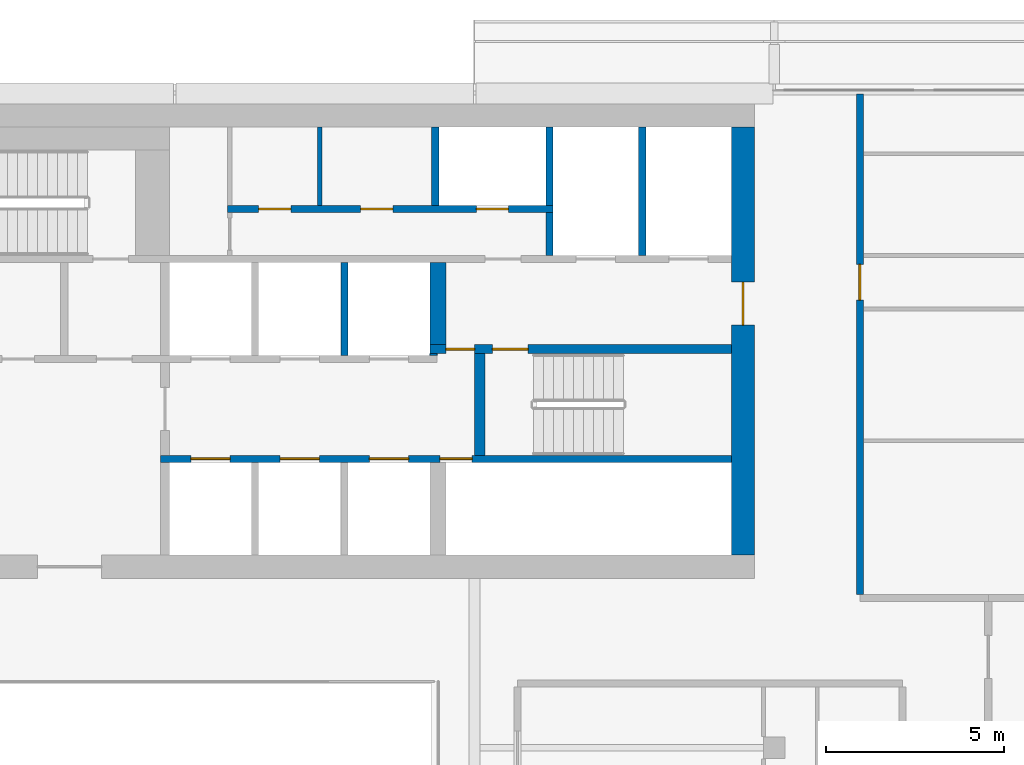
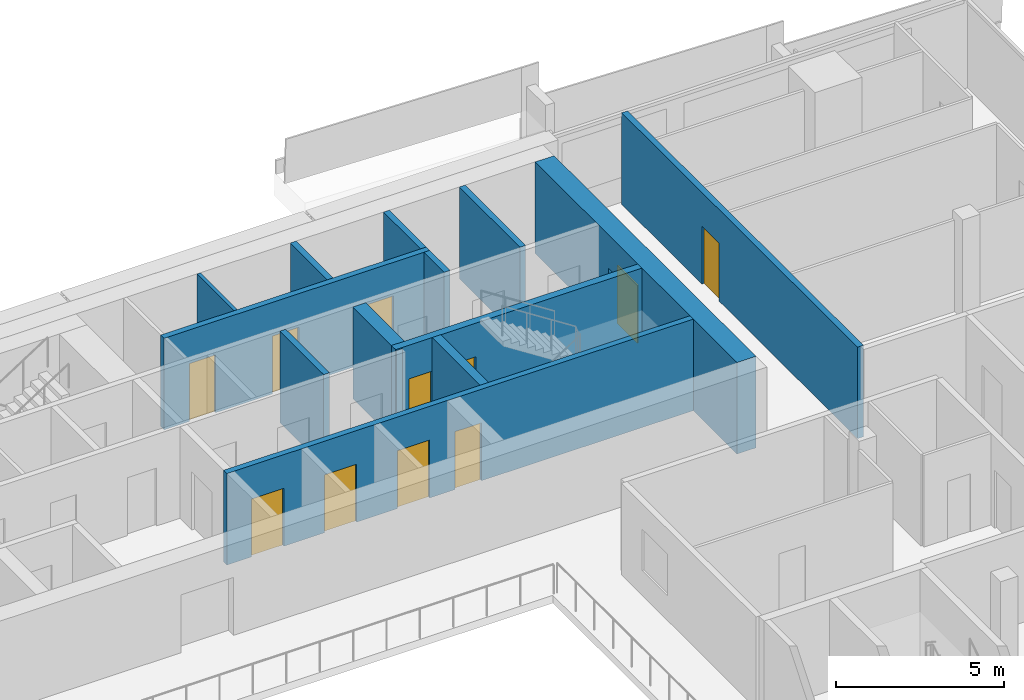
# One storey, part 24 of 31: 14 walls, 11 doors, 11 openings.
"""IFC4 building model written with IfcOpenShell, lengths in metres."""

from ifc_helpers import new_model, si_unit, direction, frame, frame_2d, origin, place, context, subcontext, project, spatial, rectangle, extrude, material, layer, layer_set, type_object, element, fill, save


model = new_model("IFC4")

# Units and contexts
model_context = context("Model", 3, precision=1e-05, world=origin(), true_north=direction((0.0, 1.0)))
body_context = subcontext(model_context, "Body", "Model", "MODEL_VIEW")
ifc_project = project(units=[si_unit("LENGTHUNIT", "METRE"), si_unit("AREAUNIT", "SQUARE_METRE"), si_unit("VOLUMEUNIT", "CUBIC_METRE"), si_unit("PLANEANGLEUNIT", "RADIAN"), si_unit("MASSUNIT", "GRAM", prefix="KILO")], contexts=[model_context])

# Site, building, storey
site_placement = place(None, origin())
site = spatial("IfcSite", under=ifc_project, at=site_placement, CompositionType="ELEMENT")
building_placement = place(site_placement, origin())
building = spatial("IfcBuilding", under=site, at=building_placement, Name="Saffron Gate Tower", CompositionType="ELEMENT")
storey_placement = place(building_placement, frame((0.0, 0.0, 205.5)))
storey = spatial("IfcBuildingStorey", under=building, at=storey_placement, Name="L49", CompositionType="ELEMENT", Elevation=205.5)

# Wall, openings, doors
ifc_material_1 = material(Name="Concrete C60", Category="concrete")
ifc_layer_1 = layer(ifc_material_1, 0.25)
ifc_layer_set_1 = layer_set([ifc_layer_1], Name="CW14 RC core wall 250 C60")
wall_type_1 = type_object("IfcWallType", Name="CW14 RC core wall 250 C60", PredefinedType="SOLIDWALL", material=ifc_layer_set_1)
wall_1_placement = place(storey_placement, frame((98.949951171875, 68.175048828125, 0.0), z_axis=(0.0, 0.0, 1.0), x_axis=(1.0, 0.0, 0.0)))
wall_1 = element("IfcWall", 1, at=wall_1_placement, inside=storey, type_object=wall_type_1, Name="Wall CW14-L49-28", PredefinedType="SOLIDWALL", context=body_context, shape_type="SweptSolid", body=[
    extrude(rectangle(XDim=8.449951171875, YDim=0.25, at=frame_2d((4.22509765625, 0.0))), origin(), (0.0, 0.0, 1.0), 3.320068359375),
])
opening_1_placement = place(wall_1_placement, frame((0.449951171875, 0.0, 0.0)))
opening_1 = element("IfcOpeningElement", 2, at=opening_1_placement, cuts=wall_1, Name="Opening CR-05", PredefinedType="OPENING", context=body_context, shape_type="SweptSolid", body=[
    extrude(rectangle(XDim=0.800048828125, YDim=2.10009765625, at=frame_2d((0.39990234375, 1.050048828125))), frame((0.0, 0.135009765625, 0.0), z_axis=(0.0, -1.0, 0.0), x_axis=(1.0, 0.0, 0.0)), (0.0, 0.0, 1.0), 0.27001953125),
])
opening_2_placement = place(wall_1_placement, frame((1.75, 0.0, 0.0)))
opening_2 = element("IfcOpeningElement", 3, at=opening_2_placement, cuts=wall_1, Name="Opening CR-16", PredefinedType="OPENING", context=body_context, shape_type="SweptSolid", body=[
    extrude(rectangle(XDim=1.0, YDim=2.10009765625, at=frame_2d((0.5, 1.050048828125))), frame((0.0, 0.135009765625, 0.0), z_axis=(0.0, -1.0, 0.0), x_axis=(1.0, 0.0, 0.0)), (0.0, 0.0, 1.0), 0.27001953125),
])
ifc_material_2 = material(Name="Steel fire door set", Category="steel")
door_type_1 = type_object("IfcDoorType", Name="CD5 Stair door 1000x2100 EI 120", OperationType="NOTDEFINED", PredefinedType="DOOR", material=ifc_material_2)
door_1_placement = place(opening_2_placement, origin())
door_1 = element("IfcDoor", 4, at=door_1_placement, inside=storey, type_object=door_type_1, Name="DOOR CR-16", OperationType="SINGLE_SWING_RIGHT", OverallHeight=2.10009765625, OverallWidth=1.0, PredefinedType="DOOR", context=body_context, shape_type="SweptSolid", body=[
    extrude(rectangle(XDim=1.0, YDim=2.10009765625, at=frame_2d((0.5, 1.050048828125))), frame((0.0, 0.02490234375, 0.0), z_axis=(0.0, -1.0, 0.0), x_axis=(1.0, 0.0, 0.0)), (0.0, 0.0, 1.0), 0.050048828125),
])
fill(opening_2, door_1)
door_type_2 = type_object("IfcDoorType", Name="CD6 Lobby door 800x2100 EI 120", OperationType="NOTDEFINED", PredefinedType="DOOR", material=ifc_material_2)
door_2_placement = place(opening_1_placement, origin())
door_2 = element("IfcDoor", 5, at=door_2_placement, inside=storey, type_object=door_type_2, Name="DOOR CR-05", OperationType="SINGLE_SWING_LEFT", OverallHeight=2.10009765625, OverallWidth=0.800048828125, PredefinedType="DOOR", context=body_context, shape_type="SweptSolid", body=[
    extrude(rectangle(XDim=0.800048828125, YDim=2.10009765625, at=frame_2d((0.39990234375, 1.050048828125))), frame((0.0, 0.02490234375, 0.0), z_axis=(0.0, -1.0, 0.0), x_axis=(1.0, 0.0, 0.0)), (0.0, 0.0, 1.0), 0.050048828125),
])
fill(opening_1, door_2)

ifc_layer_2 = layer(ifc_material_1, 0.199951171875)
ifc_layer_set_2 = layer_set([ifc_layer_2], Name="CW15 RC core wall 200 C60")
wall_type_2 = type_object("IfcWallType", Name="CW15 RC core wall 200 C60", PredefinedType="SOLIDWALL", material=ifc_layer_set_2)
wall_2_placement = place(storey_placement, frame((91.39990234375, 65.10009765625, 0.0), z_axis=(0.0, 0.0, 1.0), x_axis=(1.0, 0.0, 0.0)))
wall_2 = element("IfcWall", 6, at=wall_2_placement, inside=storey, type_object=wall_type_2, Name="Wall CW15-L49-13", PredefinedType="SOLIDWALL", context=body_context, shape_type="SweptSolid", body=[
    extrude(rectangle(XDim=16.0, YDim=0.199951171875, at=frame_2d((8.0, 0.0))), origin(), (0.0, 0.0, 1.0), 3.320068359375),
])
opening_3_placement = place(wall_2_placement, frame((0.85009765625, 0.0, 0.0)))
opening_3 = element("IfcOpeningElement", 7, at=opening_3_placement, cuts=wall_2, Name="Opening LD-HR1", PredefinedType="OPENING", context=body_context, shape_type="SweptSolid", body=[
    extrude(rectangle(XDim=1.10009765625, YDim=2.10009765625, at=frame_2d((0.550048828125, 1.050048828125))), frame((0.0, 0.10986328125, 0.0), z_axis=(0.0, -1.0, 0.0), x_axis=(1.0, 0.0, 0.0)), (0.0, 0.0, 1.0), 0.219970703125),
])
opening_4_placement = place(wall_2_placement, frame((3.35009765625, 0.0, 0.0)))
opening_4 = element("IfcOpeningElement", 8, at=opening_4_placement, cuts=wall_2, Name="Opening LD-HR2", PredefinedType="OPENING", context=body_context, shape_type="SweptSolid", body=[
    extrude(rectangle(XDim=1.10009765625, YDim=2.10009765625, at=frame_2d((0.550048828125, 1.050048828125))), frame((0.0, 0.10986328125, 0.0), z_axis=(0.0, -1.0, 0.0), x_axis=(1.0, 0.0, 0.0)), (0.0, 0.0, 1.0), 0.219970703125),
])
opening_5_placement = place(wall_2_placement, frame((5.85009765625, 0.0, 0.0)))
opening_5 = element("IfcOpeningElement", 9, at=opening_5_placement, cuts=wall_2, Name="Opening LD-HR3", PredefinedType="OPENING", context=body_context, shape_type="SweptSolid", body=[
    extrude(rectangle(XDim=1.10009765625, YDim=2.10009765625, at=frame_2d((0.550048828125, 1.050048828125))), frame((0.0, 0.10986328125, 0.0), z_axis=(0.0, -1.0, 0.0), x_axis=(1.0, 0.0, 0.0)), (0.0, 0.0, 1.0), 0.219970703125),
])
opening_6_placement = place(wall_2_placement, frame((7.830078125, 0.0, 0.0)))
opening_6 = element("IfcOpeningElement", 10, at=opening_6_placement, cuts=wall_2, Name="Opening CR-48", PredefinedType="OPENING", context=body_context, shape_type="SweptSolid", body=[
    extrude(rectangle(XDim=0.89990234375, YDim=2.10009765625, at=frame_2d((0.449951171875, 1.050048828125))), frame((0.0, 0.10986328125, 0.0), z_axis=(0.0, -1.0, 0.0), x_axis=(1.0, 0.0, 0.0)), (0.0, 0.0, 1.0), 0.219970703125),
])
door_type_3 = type_object("IfcDoorType", Name="CD2 Riser door 900x2100 EI 60", OperationType="NOTDEFINED", PredefinedType="DOOR", material=ifc_material_2)
door_3_placement = place(opening_6_placement, origin())
door_3 = element("IfcDoor", 11, at=door_3_placement, inside=storey, type_object=door_type_3, Name="DOOR CR-48", OperationType="SINGLE_SWING_RIGHT", OverallHeight=2.10009765625, OverallWidth=0.89990234375, PredefinedType="DOOR", context=body_context, shape_type="SweptSolid", body=[
    extrude(rectangle(XDim=0.89990234375, YDim=2.10009765625, at=frame_2d((0.449951171875, 1.050048828125))), frame((0.0, 0.02490234375, 0.0), z_axis=(0.0, -1.0, 0.0), x_axis=(1.0, 0.0, 0.0)), (0.0, 0.0, 1.0), 0.050048828125),
])
fill(opening_6, door_3)
ifc_material_3 = material(Name="Stainless steel landing door", Category="steel")
door_type_4 = type_object("IfcDoorType", Name="LD Lift landing door 1100x2100 EI 120", OperationType="SLIDING_TO_LEFT", PredefinedType="DOOR", material=ifc_material_3)
door_4_placement = place(opening_3_placement, origin())
door_4 = element("IfcDoor", 12, at=door_4_placement, inside=storey, type_object=door_type_4, Name="LANDING DOOR LD-HR1", OperationType="SLIDING_TO_LEFT", OverallHeight=2.10009765625, OverallWidth=1.10009765625, PredefinedType="DOOR", context=body_context, shape_type="SweptSolid", body=[
    extrude(rectangle(XDim=1.10009765625, YDim=2.10009765625, at=frame_2d((0.550048828125, 1.050048828125))), frame((0.0, 0.02490234375, 0.0), z_axis=(0.0, -1.0, 0.0), x_axis=(1.0, 0.0, 0.0)), (0.0, 0.0, 1.0), 0.050048828125),
])
fill(opening_3, door_4)
door_5_placement = place(opening_4_placement, origin())
door_5 = element("IfcDoor", 13, at=door_5_placement, inside=storey, type_object=door_type_4, Name="LANDING DOOR LD-HR2", OperationType="SLIDING_TO_LEFT", OverallHeight=2.10009765625, OverallWidth=1.10009765625, PredefinedType="DOOR", context=body_context, shape_type="SweptSolid", body=[
    extrude(rectangle(XDim=1.10009765625, YDim=2.10009765625, at=frame_2d((0.550048828125, 1.050048828125))), frame((0.0, 0.02490234375, 0.0), z_axis=(0.0, -1.0, 0.0), x_axis=(1.0, 0.0, 0.0)), (0.0, 0.0, 1.0), 0.050048828125),
])
fill(opening_4, door_5)
door_6_placement = place(opening_5_placement, origin())
door_6 = element("IfcDoor", 14, at=door_6_placement, inside=storey, type_object=door_type_4, Name="LANDING DOOR LD-HR3", OperationType="SLIDING_TO_LEFT", OverallHeight=2.10009765625, OverallWidth=1.10009765625, PredefinedType="DOOR", context=body_context, shape_type="SweptSolid", body=[
    extrude(rectangle(XDim=1.10009765625, YDim=2.10009765625, at=frame_2d((0.550048828125, 1.050048828125))), frame((0.0, 0.02490234375, 0.0), z_axis=(0.0, -1.0, 0.0), x_axis=(1.0, 0.0, 0.0)), (0.0, 0.0, 1.0), 0.050048828125),
])
fill(opening_5, door_6)

# Walls
wall_3_placement = place(storey_placement, frame((96.550048828125, 68.0, 0.0), z_axis=(0.0, 0.0, 1.0), x_axis=(0.0, 1.0, 0.0)))
element("IfcWall", 15, at=wall_3_placement, inside=storey, type_object=wall_type_2, Name="Wall CW15-L49-25", PredefinedType="SOLIDWALL", context=body_context, shape_type="SweptSolid", body=[
    extrude(rectangle(XDim=2.60009765625, YDim=0.199951171875, at=frame_2d((1.300048828125, 0.0))), origin(), (0.0, 0.0, 1.0), 3.320068359375),
])
wall_4_placement = place(storey_placement, frame((102.300048828125, 70.800048828125, 0.0), z_axis=(0.0, 0.0, 1.0), x_axis=(0.0, 1.0, 0.0)))
element("IfcWall", 16, at=wall_4_placement, inside=storey, type_object=wall_type_2, Name="Wall CW15-L49-38", PredefinedType="SOLIDWALL", context=body_context, shape_type="SweptSolid", body=[
    extrude(rectangle(XDim=1.199951171875, YDim=0.199951171875, at=frame_2d((0.60009765625, 0.0))), origin(), (0.0, 0.0, 1.0), 3.320068359375),
])
wall_5_placement = place(storey_placement, frame((104.89990234375, 70.800048828125, 0.0), z_axis=(0.0, 0.0, 1.0), x_axis=(0.0, 1.0, 0.0)))
element("IfcWall", 17, at=wall_5_placement, inside=storey, type_object=wall_type_2, Name="Wall CW15-L49-39", PredefinedType="SOLIDWALL", context=body_context, shape_type="SweptSolid", body=[
    extrude(rectangle(XDim=3.599853515625, YDim=0.199951171875, at=frame_2d((1.7998046875, 0.0))), origin(), (0.0, 0.0, 1.0), 3.320068359375),
])

# Wall, openings, doors
wall_6_placement = place(storey_placement, frame((93.280029296875, 72.10009765625, 0.0), z_axis=(0.0, 0.0, 1.0), x_axis=(1.0, 0.0, 0.0)))
wall_6 = element("IfcWall", 18, at=wall_6_placement, inside=storey, type_object=wall_type_2, Name="Wall CW15-L49-41", PredefinedType="SOLIDWALL", context=body_context, shape_type="SweptSolid", body=[
    extrude(rectangle(XDim=9.119873046875, YDim=0.199951171875, at=frame_2d((4.56005859375, 0.0))), origin(), (0.0, 0.0, 1.0), 3.320068359375),
])
opening_7_placement = place(wall_6_placement, frame((0.8701171875, 0.0, 0.0)))
opening_7 = element("IfcOpeningElement", 19, at=opening_7_placement, cuts=wall_6, Name="Opening CR-50", PredefinedType="OPENING", context=body_context, shape_type="SweptSolid", body=[
    extrude(rectangle(XDim=0.89990234375, YDim=2.10009765625, at=frame_2d((0.449951171875, 1.050048828125))), frame((0.0, 0.10986328125, 0.0), z_axis=(0.0, -1.0, 0.0), x_axis=(1.0, 0.0, 0.0)), (0.0, 0.0, 1.0), 0.219970703125),
])
opening_8_placement = place(wall_6_placement, frame((3.72998046875, 0.0, 0.0)))
opening_8 = element("IfcOpeningElement", 20, at=opening_8_placement, cuts=wall_6, Name="Opening CR-53", PredefinedType="OPENING", context=body_context, shape_type="SweptSolid", body=[
    extrude(rectangle(XDim=0.89990234375, YDim=2.10009765625, at=frame_2d((0.449951171875, 1.050048828125))), frame((0.0, 0.10986328125, 0.0), z_axis=(0.0, -1.0, 0.0), x_axis=(1.0, 0.0, 0.0)), (0.0, 0.0, 1.0), 0.219970703125),
])
opening_9_placement = place(wall_6_placement, frame((6.969970703125, 0.0, 0.0)))
opening_9 = element("IfcOpeningElement", 21, at=opening_9_placement, cuts=wall_6, Name="Opening CR-70", PredefinedType="OPENING", context=body_context, shape_type="SweptSolid", body=[
    extrude(rectangle(XDim=0.89990234375, YDim=2.10009765625, at=frame_2d((0.449951171875, 1.050048828125))), frame((0.0, 0.10986328125, 0.0), z_axis=(0.0, -1.0, 0.0), x_axis=(1.0, 0.0, 0.0)), (0.0, 0.0, 1.0), 0.219970703125),
])
door_7_placement = place(opening_9_placement, origin())
door_7 = element("IfcDoor", 22, at=door_7_placement, inside=storey, type_object=door_type_3, Name="DOOR CR-70", OperationType="SINGLE_SWING_LEFT", OverallHeight=2.10009765625, OverallWidth=0.89990234375, PredefinedType="DOOR", context=body_context, shape_type="SweptSolid", body=[
    extrude(rectangle(XDim=0.89990234375, YDim=2.10009765625, at=frame_2d((0.449951171875, 1.050048828125))), frame((0.0, 0.02490234375, 0.0), z_axis=(0.0, -1.0, 0.0), x_axis=(1.0, 0.0, 0.0)), (0.0, 0.0, 1.0), 0.050048828125),
])
fill(opening_9, door_7)
door_type_5 = type_object("IfcDoorType", Name="CD9 Room door 900x2100 EI 60", OperationType="NOTDEFINED", PredefinedType="DOOR", material=ifc_material_2)
door_8_placement = place(opening_7_placement, origin())
door_8 = element("IfcDoor", 23, at=door_8_placement, inside=storey, type_object=door_type_5, Name="DOOR CR-50", OperationType="SINGLE_SWING_LEFT", OverallHeight=2.10009765625, OverallWidth=0.89990234375, PredefinedType="DOOR", context=body_context, shape_type="SweptSolid", body=[
    extrude(rectangle(XDim=0.89990234375, YDim=2.10009765625, at=frame_2d((0.449951171875, 1.050048828125))), frame((0.0, 0.02490234375, 0.0), z_axis=(0.0, -1.0, 0.0), x_axis=(1.0, 0.0, 0.0)), (0.0, 0.0, 1.0), 0.050048828125),
])
fill(opening_7, door_8)
door_9_placement = place(opening_8_placement, origin())
door_9 = element("IfcDoor", 24, at=door_9_placement, inside=storey, type_object=door_type_5, Name="DOOR CR-53", OperationType="SINGLE_SWING_LEFT", OverallHeight=2.10009765625, OverallWidth=0.89990234375, PredefinedType="DOOR", context=body_context, shape_type="SweptSolid", body=[
    extrude(rectangle(XDim=0.89990234375, YDim=2.10009765625, at=frame_2d((0.449951171875, 1.050048828125))), frame((0.0, 0.02490234375, 0.0), z_axis=(0.0, -1.0, 0.0), x_axis=(1.0, 0.0, 0.0)), (0.0, 0.0, 1.0), 0.050048828125),
])
fill(opening_8, door_9)

# Walls
for number, where, z_axis, x_axis, name in (
    (25, (99.10009765625, 72.199951171875, 0.0), (0.0, 0.0, 1.0), (0.0, 1.0, 0.0), "Wall CW15-L49-48"),
    (26, (102.300048828125, 72.199951171875, 0.0), (0.0, 0.0, 1.0), (0.0, 1.0, 0.0), "Wall CW15-L49-49"),
):
    element("IfcWall", number, at=place(storey_placement, frame(where, z_axis=z_axis, x_axis=x_axis)), inside=storey, type_object=wall_type_2, Name=name, PredefinedType="SOLIDWALL", context=body_context, shape_type="SweptSolid", body=[
        extrude(rectangle(XDim=2.199951171875, YDim=0.199951171875, at=frame_2d((1.10009765625, 0.0))), origin(), (0.0, 0.0, 1.0), 3.320068359375),
    ])
ifc_layer_3 = layer(ifc_material_1, 0.449951171875)
ifc_layer_set_3 = layer_set([ifc_layer_3], Name="CW16 RC core wall 450 C60")
wall_type_3 = type_object("IfcWallType", Name="CW16 RC core wall 450 C60", PredefinedType="SOLIDWALL", material=ifc_layer_set_3)
wall_7_placement = place(storey_placement, frame((99.175048828125, 68.300048828125, 0.0), z_axis=(0.0, 0.0, 1.0), x_axis=(0.0, 1.0, 0.0)))
element("IfcWall", 27, at=wall_7_placement, inside=storey, type_object=wall_type_3, Name="Wall CW16-L49-30", PredefinedType="SOLIDWALL", context=body_context, shape_type="SweptSolid", body=[
    extrude(rectangle(XDim=2.300048828125, YDim=0.449951171875, at=frame_2d((1.14990234375, 0.0))), origin(), (0.0, 0.0, 1.0), 3.320068359375),
])
ifc_layer_4 = layer(ifc_material_1, 0.300048828125)
ifc_layer_set_4 = layer_set([ifc_layer_4], Name="CW17 RC core wall 300 C60")
wall_type_4 = type_object("IfcWallType", Name="CW17 RC core wall 300 C60", PredefinedType="SOLIDWALL", material=ifc_layer_set_4)
wall_8_placement = place(storey_placement, frame((100.35009765625, 65.199951171875, 0.0), z_axis=(0.0, 0.0, 1.0), x_axis=(0.0, 1.0, 0.0)))
element("IfcWall", 28, at=wall_8_placement, inside=storey, type_object=wall_type_4, Name="Wall CW17-L49-17", PredefinedType="SOLIDWALL", context=body_context, shape_type="SweptSolid", body=[
    extrude(rectangle(XDim=2.85009765625, YDim=0.300048828125, at=frame_2d((1.425048828125, 0.0))), origin(), (0.0, 0.0, 1.0), 3.320068359375),
])
ifc_layer_5 = layer(ifc_material_1, 0.050048828125)
ifc_layer_set_5 = layer_set([ifc_layer_5], Name="CW18 RC core wall 50 C60")
wall_type_5 = type_object("IfcWallType", Name="CW18 RC core wall 50 C60", PredefinedType="SOLIDWALL", material=ifc_layer_set_5)
wall_9_placement = place(storey_placement, frame((98.949951171875, 68.02490234375, 0.0), z_axis=(0.0, 0.0, 1.0), x_axis=(1.0, 0.0, 0.0)))
element("IfcWall", 29, at=wall_9_placement, inside=storey, type_object=wall_type_5, Name="Wall CW18-L49-26", PredefinedType="SOLIDWALL", context=body_context, shape_type="SweptSolid", body=[
    extrude(rectangle(XDim=0.199951171875, YDim=0.050048828125, at=frame_2d((0.10009765625, 0.0))), origin(), (0.0, 0.0, 1.0), 3.320068359375),
])

# Wall, opening, door
ifc_layer_6 = layer(ifc_material_1, 0.64990234375)
ifc_layer_set_6 = layer_set([ifc_layer_6], Name="CW20 RC core wall 650 C60")
wall_type_6 = type_object("IfcWallType", Name="CW20 RC core wall 650 C60", PredefinedType="SOLIDWALL", material=ifc_layer_set_6)
wall_10_placement = place(storey_placement, frame((107.72509765625, 62.39990234375, 0.0), z_axis=(0.0, 0.0, 1.0), x_axis=(0.0, 1.0, 0.0)))
wall_10 = element("IfcWall", 30, at=wall_10_placement, inside=storey, type_object=wall_type_6, Name="Wall CW20-L49-4", PredefinedType="SOLIDWALL", context=body_context, shape_type="SweptSolid", body=[
    extrude(rectangle(XDim=12.0, YDim=0.64990234375, at=frame_2d((6.0, 0.0))), origin(), (0.0, 0.0, 1.0), 3.320068359375),
])
opening_10_placement = place(wall_10_placement, frame((6.449951171875, 0.0, 0.0)))
opening_10 = element("IfcOpeningElement", 31, at=opening_10_placement, cuts=wall_10, Name="Opening CR-08", PredefinedType="OPENING", context=body_context, shape_type="SweptSolid", body=[
    extrude(rectangle(XDim=1.199951171875, YDim=2.10009765625, at=frame_2d((0.60009765625, 1.050048828125))), frame((0.0, 0.3349609375, 0.0), z_axis=(0.0, -1.0, 0.0), x_axis=(1.0, 0.0, 0.0)), (0.0, 0.0, 1.0), 0.669921875),
])
door_type_6 = type_object("IfcDoorType", Name="CD7 Core entrance door 1200x2100 EI 120", OperationType="NOTDEFINED", PredefinedType="DOOR", material=ifc_material_2)
door_10_placement = place(opening_10_placement, origin())
door_10 = element("IfcDoor", 32, at=door_10_placement, inside=storey, type_object=door_type_6, Name="DOOR CR-08", OperationType="SINGLE_SWING_RIGHT", OverallHeight=2.10009765625, OverallWidth=1.199951171875, PredefinedType="DOOR", context=body_context, shape_type="SweptSolid", body=[
    extrude(rectangle(XDim=1.199951171875, YDim=2.10009765625, at=frame_2d((0.60009765625, 1.050048828125))), frame((0.0, 0.02490234375, 0.0), z_axis=(0.0, -1.0, 0.0), x_axis=(1.0, 0.0, 0.0)), (0.0, 0.0, 1.0), 0.050048828125),
])
fill(opening_10, door_10)

# Wall
ifc_material_4 = material(Name="Gypsum board partition on steel studs", Category="steel")
ifc_layer_7 = layer(ifc_material_4, 0.1201171875)
ifc_layer_set_7 = layer_set([ifc_layer_7], Name="CW8 Core partition 120")
wall_type_7 = type_object("IfcWallType", Name="CW8 Core partition 120", PredefinedType="PARTITIONING", material=ifc_layer_set_7)
wall_11_placement = place(storey_placement, frame((95.860107421875, 72.199951171875, 0.0), z_axis=(0.0, 0.0, 1.0), x_axis=(0.0, 1.0, 0.0)))
element("IfcWall", 33, at=wall_11_placement, inside=storey, type_object=wall_type_7, Name="Wall CW8-L49-47", PredefinedType="PARTITIONING", context=body_context, shape_type="SweptSolid", body=[
    extrude(rectangle(XDim=2.199951171875, YDim=0.1201171875, at=frame_2d((1.10009765625, 0.0))), origin(), (0.0, 0.0, 1.0), 3.320068359375),
])

# Wall, opening, door
ifc_material_5 = material(Name="Clay brick masonry, rendered", Category="masonry")
ifc_layer_8 = layer(ifc_material_5, 0.199951171875)
ifc_layer_set_8 = layer_set([ifc_layer_8], Name="PW3 Corridor wall 200")
wall_type_8 = type_object("IfcWallType", Name="PW3 Corridor wall 200", PredefinedType="PARTITIONING", material=ifc_layer_set_8)
wall_12_placement = place(storey_placement, frame((111.0, 75.320068359375, 0.0), z_axis=(0.0, 0.0, 1.0), x_axis=(0.0, -1.0, 0.0)))
wall_12 = element("IfcWall", 34, at=wall_12_placement, inside=storey, type_object=wall_type_8, Name="Wall D1-90", PredefinedType="PARTITIONING", context=body_context, shape_type="SweptSolid", body=[
    extrude(rectangle(XDim=14.02001953125, YDim=0.199951171875, at=frame_2d((7.010009765625, 0.0))), origin(), (0.0, 0.0, 1.0), 3.320068359375),
])
opening_11_placement = place(wall_12_placement, frame((4.77001953125, 0.0, 0.0)))
opening_11 = element("IfcOpeningElement", 35, at=opening_11_placement, cuts=wall_12, Name="Opening D1-6", PredefinedType="OPENING", context=body_context, shape_type="SweptSolid", body=[
    extrude(rectangle(XDim=1.0, YDim=2.10009765625, at=frame_2d((0.5, 1.050048828125))), frame((0.0, 0.10986328125, 0.0), z_axis=(0.0, -1.0, 0.0), x_axis=(1.0, 0.0, 0.0)), (0.0, 0.0, 1.0), 0.219970703125),
])
ifc_material_6 = material(Name="Timber fire door set", Category="wood")
door_type_7 = type_object("IfcDoorType", Name="FD1 Flat entry door 1000x2100", OperationType="NOTDEFINED", PredefinedType="DOOR", material=ifc_material_6)
door_11_placement = place(opening_11_placement, origin())
door_11 = element("IfcDoor", 36, at=door_11_placement, inside=storey, type_object=door_type_7, Name="Door D1-6", OperationType="SINGLE_SWING_RIGHT", OverallHeight=2.10009765625, OverallWidth=1.0, PredefinedType="DOOR", context=body_context, shape_type="SweptSolid", body=[
    extrude(rectangle(XDim=1.0, YDim=2.10009765625, at=frame_2d((0.5, 1.050048828125))), frame((0.0, 0.02490234375, 0.0), z_axis=(0.0, -1.0, 0.0), x_axis=(1.0, 0.0, 0.0)), (0.0, 0.0, 1.0), 0.050048828125),
])
fill(opening_11, door_11)

save(model, "model.ifc")
